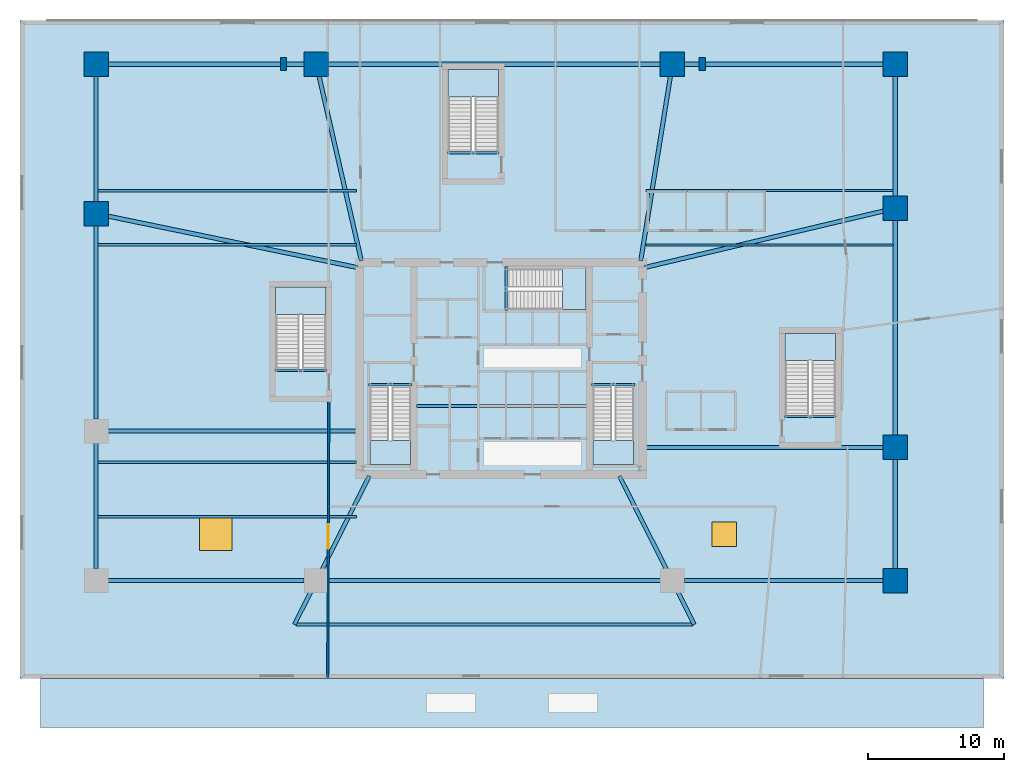
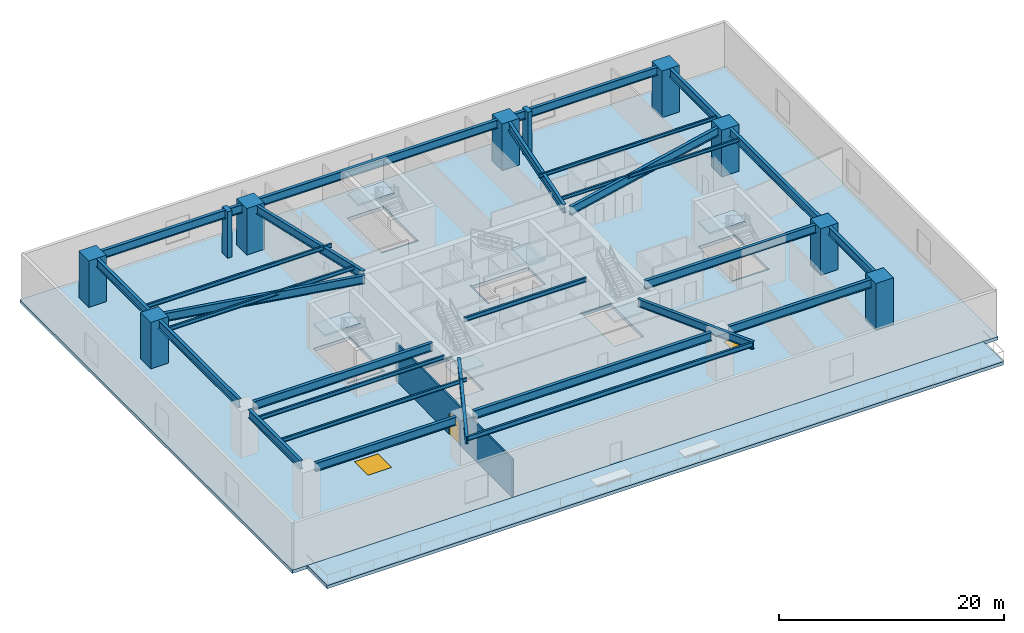
# One storey, part 3 of 11: 34 beams, 10 columns, 8 slabs, 2 windows, 1 door, 1 wall, 3 openings, 6 elements without a shape of their own.
"""IFC4 building model written with IfcOpenShell, lengths in metres."""

from ifc_helpers import new_model, si_unit, direction, frame, frame_2d, origin, origin_2d, place, context, subcontext, project, spatial, polyline, rectangle, i_section, outline, extrude, material, layer, layer_set, material_profile, profile_set, type_object, element, fill, aggregate, save


model = new_model("IFC4")

# Units and contexts
model_context = context("Model", 3, precision=1e-05, world=origin(), true_north=direction((0.0, 1.0)))
body_context = subcontext(model_context, "Body", "Model", "MODEL_VIEW")
ifc_project = project(units=[si_unit("LENGTHUNIT", "METRE"), si_unit("AREAUNIT", "SQUARE_METRE"), si_unit("VOLUMEUNIT", "CUBIC_METRE"), si_unit("PLANEANGLEUNIT", "RADIAN"), si_unit("MASSUNIT", "GRAM", prefix="KILO")], contexts=[model_context])

# Site, building, storey
site_placement = place(None, origin())
site = spatial("IfcSite", under=ifc_project, at=site_placement, CompositionType="ELEMENT")
building_placement = place(site_placement, origin())
building = spatial("IfcBuilding", under=site, at=building_placement, Name="Qarnah Convention Tower", CompositionType="ELEMENT")
storey_placement = place(building_placement, frame((0.0, 0.0, 5.39990234375)))
storey = spatial("IfcBuildingStorey", under=building, at=storey_placement, Name="L01", CompositionType="ELEMENT", Elevation=5.39990234375)

# Columns
ifc_material_1 = material(Name="Concrete C60/75", Category="concrete")
ifc_material_profile_1 = material_profile(ifc_material_1, rectangle(XDim=1.800048828125, YDim=1.800048828125, at=origin_2d()), Name="RC-COL-1800X1800")
ifc_profile_set_1 = profile_set([ifc_material_profile_1], Name="Concrete C60/75")
column_type_1 = type_object("IfcColumnType", Name="COL-MC1800", PredefinedType="COLUMN", material=ifc_profile_set_1)
for number, where, z_axis, x_axis, name in (
    (1, (66.199951171875, 10.800048828125, 0.0), (0.0, 0.0, 1.0), (1.0, 0.0, 0.0), "L01 plumb column MC-04"),
    (2, (66.199951171875, 20.60009765625, 0.0), (0.0, 0.0, 1.0), (1.0, 0.0, 0.0), "L01 plumb column MC-05"),
    (3, (66.199951171875, 38.199951171875, 0.0), (0.0, 0.0, 1.0), (1.0, 0.0, 0.0), "L01 plumb column MC-06"),
    (4, (66.199951171875, 48.800048828125, 0.0), (0.0, 0.0, 1.0), (1.0, 0.0, 0.0), "L01 plumb column MC-07"),
    (5, (49.800048828125, 48.800048828125, 0.0), (0.0, 0.0, 1.0), (1.0, 0.0, 0.0), "L01 plumb column MC-08"),
    (6, (23.60009765625, 48.800048828125, 0.0), (0.0, 0.0, 1.0), (1.0, 0.0, 0.0), "L01 plumb column MC-09"),
    (7, (7.39990234375, 48.800048828125, 0.0), (0.0, 0.0, 1.0), (1.0, 0.0, 0.0), "L01 plumb column MC-10"),
    (8, (7.39990234375, 37.800048828125, 0.0), (0.0, 0.0, 1.0), (1.0, 0.0, 0.0), "L01 plumb column MC-11"),
):
    element("IfcColumn", number, at=place(storey_placement, frame(where, z_axis=z_axis, x_axis=x_axis)), inside=storey, type_object=column_type_1, Name=name, PredefinedType="COLUMN", context=body_context, shape_type="SweptSolid", body=[
        extrude(rectangle(XDim=1.800048828125, YDim=1.800048828125, at=origin_2d()), origin(), (0.0, 0.0, 1.0), 5.050048828125),
    ])
ifc_material_2 = material(Name="Precast concrete C45/55", Category="concrete")
ifc_material_profile_2 = material_profile(ifc_material_2, rectangle(XDim=0.449951171875, YDim=0.949951171875, at=origin_2d()), Name="PC-RIB-450X950")
ifc_profile_set_2 = profile_set([ifc_material_profile_2], Name="Precast concrete C45/55")
column_type_2 = type_object("IfcColumnType", Name="PIL-POD-450", PredefinedType="PILASTER", material=ifc_profile_set_2)
for number, where, z_axis, x_axis, name in (
    (9, (21.199951171875, 48.800048828125, 0.0), (0.0, 0.0, 1.0), (1.0, 0.0, 0.0), "L01 structural concrete pilaster 1"),
    (10, (52.0, 48.800048828125, 0.0), (0.0, 0.0, 1.0), (1.0, 0.0, 0.0), "L01 structural concrete pilaster 2"),
):
    element("IfcColumn", number, at=place(storey_placement, frame(where, z_axis=z_axis, x_axis=x_axis)), inside=storey, type_object=column_type_2, Name=name, PredefinedType="PILASTER", context=body_context, shape_type="SweptSolid", body=[
        extrude(rectangle(XDim=0.449951171875, YDim=0.949951171875, at=origin_2d()), origin(), (0.0, 0.0, 1.0), 5.050048828125),
    ])

# Beams
ifc_material_3 = material(Name="Structural steel S355JR", Category="steel")
ifc_material_profile_3 = material_profile(ifc_material_3, i_section(OverallWidth=0.19189453125, OverallDepth=0.464111328125, WebThickness=0.010986328125, FlangeThickness=0.01806640625, at=origin_2d()), Name="W460X89")
ifc_profile_set_3 = profile_set([ifc_material_profile_3], Name="Structural steel S355JR")
beam_type_1 = type_object("IfcBeamType", Name="BM-CANT-W460A", PredefinedType="BEAM", material=ifc_profile_set_3)
beam_1_placement = place(storey_placement, frame((30.97998046875, 23.64990234375, 4.818115234375), z_axis=(1.0, 0.0, 0.0), x_axis=(0.0, 1.0, 0.0)))
element("IfcBeam", 11, at=beam_1_placement, inside=storey, type_object=beam_type_1, Name="L01 beam BM-L01-KC1", PredefinedType="BEAM", context=body_context, shape_type="SweptSolid", body=[
    extrude(i_section(OverallWidth=0.19189453125, OverallDepth=0.464111328125, WebThickness=0.010986328125, FlangeThickness=0.01806640625, at=origin_2d()), origin(), (0.0, 0.0, 1.0), 12.5400390625),
])
ifc_material_profile_4 = material_profile(ifc_material_3, i_section(OverallWidth=0.166015625, OverallDepth=0.31201171875, WebThickness=0.007080078125, FlangeThickness=0.010986328125, at=origin_2d()), Name="W310X45")
ifc_profile_set_4 = profile_set([ifc_material_profile_4], Name="Structural steel S355JR")
beam_type_2 = type_object("IfcBeamType", Name="BM-JST-W310", PredefinedType="JOIST", material=ifc_profile_set_4)
for number, where, z_axis, x_axis, name in (
    (12, (27.4599609375, 25.217041015625, -0.156005859375), (1.0, 0.0, 0.0), (0.0, 1.0, 0.0), "L01 stair landing trimmer beam BM-L01-ST1-TRM"),
    (13, (43.860107421875, 25.217041015625, -0.156005859375), (1.0, 0.0, 0.0), (0.0, 1.0, 0.0), "L01 stair landing trimmer beam BM-L01-ST2-TRM"),
):
    element("IfcBeam", number, at=place(storey_placement, frame(where, z_axis=z_axis, x_axis=x_axis)), inside=storey, type_object=beam_type_2, Name=name, PredefinedType="BEAM", context=body_context, shape_type="SweptSolid", body=[
        extrude(i_section(OverallWidth=0.166015625, OverallDepth=0.31201171875, WebThickness=0.007080078125, FlangeThickness=0.010986328125, at=origin_2d()), origin(), (0.0, 0.0, 1.0), 3.179931640625),
    ])
beam_2_placement = place(storey_placement, frame((37.5830078125, 30.659912109375, -0.156005859375), z_axis=(0.0, 1.0, 0.0), x_axis=(-1.0, 0.0, 0.0)))
element("IfcBeam", 14, at=beam_2_placement, inside=storey, type_object=beam_type_2, Name="L01 stair landing trimmer beam BM-L01-ST3-TRM", PredefinedType="BEAM", context=body_context, shape_type="SweptSolid", body=[
    extrude(i_section(OverallWidth=0.166015625, OverallDepth=0.31201171875, WebThickness=0.007080078125, FlangeThickness=0.010986328125, at=origin_2d()), origin(), (0.0, 0.0, 1.0), 3.239990234375),
])
for number, where, z_axis, x_axis, name in (
    (15, (58.050048828125, 22.883056640625, -0.156005859375), (1.0, 0.0, 0.0), (0.0, 1.0, 0.0), "L01 podium stair trimmer beam BM-L01-ST4-TRM"),
    (16, (20.550048828125, 26.282958984375, -0.156005859375), (1.0, 0.0, 0.0), (0.0, 1.0, 0.0), "L01 podium stair trimmer beam BM-L01-ST5-TRM"),
    (17, (33.25, 42.282958984375, -0.156005859375), (1.0, 0.0, 0.0), (0.0, 1.0, 0.0), "L01 podium stair trimmer beam BM-L01-ST6-TRM"),
):
    element("IfcBeam", number, at=place(storey_placement, frame(where, z_axis=z_axis, x_axis=x_axis)), inside=storey, type_object=beam_type_2, Name=name, PredefinedType="BEAM", context=body_context, shape_type="SweptSolid", body=[
        extrude(i_section(OverallWidth=0.166015625, OverallDepth=0.31201171875, WebThickness=0.007080078125, FlangeThickness=0.010986328125, at=origin_2d()), origin(), (0.0, 0.0, 1.0), 3.800048828125),
    ])
ifc_material_profile_5 = material_profile(ifc_material_3, i_section(OverallWidth=0.172119140625, OverallDepth=0.35595703125, WebThickness=0.007080078125, FlangeThickness=0.011962890625, at=origin_2d()), Name="W360X51")
ifc_profile_set_5 = profile_set([ifc_material_profile_5], Name="Structural steel S355JR")
beam_type_3 = type_object("IfcBeamType", Name="BM-JST-W360", PredefinedType="JOIST", material=ifc_profile_set_5)
for number, where, z_axis, x_axis, name in (
    (18, (47.85009765625, 35.5, 4.8720703125), (1.0, 0.0, 0.0), (0.0, 1.0, 0.0), "L01 joist BM-L01-JSTE-03"),
    (19, (47.85009765625, 39.5, 4.8720703125), (1.0, 0.0, 0.0), (0.0, 1.0, 0.0), "L01 joist BM-L01-JSTE-04"),
):
    element("IfcBeam", number, at=place(storey_placement, frame(where, z_axis=z_axis, x_axis=x_axis)), inside=storey, type_object=beam_type_3, Name=name, PredefinedType="JOIST", context=body_context, shape_type="SweptSolid", body=[
        extrude(i_section(OverallWidth=0.172119140625, OverallDepth=0.35595703125, WebThickness=0.007080078125, FlangeThickness=0.011962890625, at=origin_2d()), origin(), (0.0, 0.0, 1.0), 18.2099609375),
    ])
ifc_material_profile_6 = material_profile(ifc_material_3, i_section(OverallWidth=0.177978515625, OverallDepth=0.407958984375, WebThickness=0.008056640625, FlangeThickness=0.012939453125, at=origin_2d()), Name="W410X60")
ifc_profile_set_6 = profile_set([ifc_material_profile_6], Name="Structural steel S355JR")
beam_type_4 = type_object("IfcBeamType", Name="BM-JST-W410", PredefinedType="JOIST", material=ifc_profile_set_6)
for number, where, z_axis, x_axis, name in (
    (20, (7.5400390625, 15.5, 4.84619140625), (1.0, 0.0, 0.0), (0.0, 1.0, 0.0), "L01 joist BM-L01-JSTW-01"),
    (21, (7.5400390625, 19.5, 4.84619140625), (1.0, 0.0, 0.0), (0.0, 1.0, 0.0), "L01 joist BM-L01-JSTW-02"),
    (22, (7.5400390625, 35.5, 4.84619140625), (1.0, 0.0, 0.0), (0.0, 1.0, 0.0), "L01 joist BM-L01-JSTW-03"),
    (23, (7.5400390625, 39.5, 4.84619140625), (1.0, 0.0, 0.0), (0.0, 1.0, 0.0), "L01 joist BM-L01-JSTW-04"),
):
    element("IfcBeam", number, at=place(storey_placement, frame(where, z_axis=z_axis, x_axis=x_axis)), inside=storey, type_object=beam_type_4, Name=name, PredefinedType="JOIST", context=body_context, shape_type="SweptSolid", body=[
        extrude(i_section(OverallWidth=0.177978515625, OverallDepth=0.407958984375, WebThickness=0.008056640625, FlangeThickness=0.012939453125, at=origin_2d()), origin(), (0.0, 0.0, 1.0), 19.010009765625),
    ])
ifc_material_profile_7 = material_profile(ifc_material_3, i_section(OverallWidth=0.2900390625, OverallDepth=0.83203125, WebThickness=0.014892578125, FlangeThickness=0.02001953125, at=origin_2d()), Name="W840X193")
ifc_profile_set_7 = profile_set([ifc_material_profile_7], Name="Structural steel S355JR")
beam_type_5 = type_object("IfcBeamType", Name="BM-POD-W840B", PredefinedType="BEAM", material=ifc_profile_set_7)
for number, where, z_axis, x_axis, name in (
    (24, (27.5, 18.5, 4.634033203125), (-0.450484090128, -0.892784455813, 0.0), (0.892784455813, -0.450484090128, 0.0), "L01 beam BM-L01-TSUP-01"),
    (25, (45.89990234375, 18.5, 4.634033203125), (0.450484090128, -0.892784455813, 0.0), (0.892784455813, 0.450484090128, 0.0), "L01 beam BM-L01-TSUP-02"),
):
    element("IfcBeam", number, at=place(storey_placement, frame(where, z_axis=z_axis, x_axis=x_axis)), inside=storey, type_object=beam_type_5, Name=name, PredefinedType="BEAM", context=body_context, shape_type="SweptSolid", body=[
        extrude(i_section(OverallWidth=0.2900390625, OverallDepth=0.83203125, WebThickness=0.014892578125, FlangeThickness=0.02001953125, at=origin_2d()), origin(), (0.0, 0.0, 1.0), 12.231201171875),
    ])
ifc_material_profile_8 = material_profile(ifc_material_3, i_section(OverallWidth=0.31005859375, OverallDepth=0.912109375, WebThickness=0.02099609375, FlangeThickness=0.031982421875, at=origin_2d()), Name="W920X342")
ifc_profile_set_8 = profile_set([ifc_material_profile_8], Name="Structural steel S355JR")
beam_type_6 = type_object("IfcBeamType", Name="BM-POD-W920A", PredefinedType="BEAM", material=ifc_profile_set_8)
beam_3_placement = place(storey_placement, frame((8.2900390625, 10.800048828125, 4.593994140625), z_axis=(1.0, 0.0, 0.0), x_axis=(0.0, 1.0, 0.0)))
element("IfcBeam", 26, at=beam_3_placement, inside=storey, type_object=beam_type_6, Name="L01 spandrel BM-L01-PRG-01", PredefinedType="SPANDREL", context=body_context, shape_type="SweptSolid", body=[
    extrude(i_section(OverallWidth=0.31005859375, OverallDepth=0.912109375, WebThickness=0.02099609375, FlangeThickness=0.031982421875, at=origin_2d()), origin(), (0.0, 0.0, 1.0), 14.419921875),
])
beam_4_placement = place(storey_placement, frame((24.489990234375, 10.800048828125, 4.593994140625), z_axis=(1.0, 0.0, 0.0), x_axis=(0.0, 1.0, 0.0)))
element("IfcBeam", 27, at=beam_4_placement, inside=storey, type_object=beam_type_6, Name="L01 spandrel BM-L01-PRG-02", PredefinedType="SPANDREL", context=body_context, shape_type="SweptSolid", body=[
    extrude(i_section(OverallWidth=0.31005859375, OverallDepth=0.912109375, WebThickness=0.02099609375, FlangeThickness=0.031982421875, at=origin_2d()), origin(), (0.0, 0.0, 1.0), 24.419921875),
])
beam_5_placement = place(storey_placement, frame((50.68994140625, 10.800048828125, 4.593994140625), z_axis=(1.0, 0.0, 0.0), x_axis=(0.0, 1.0, 0.0)))
element("IfcBeam", 28, at=beam_5_placement, inside=storey, type_object=beam_type_6, Name="L01 spandrel BM-L01-PRG-03", PredefinedType="SPANDREL", context=body_context, shape_type="SweptSolid", body=[
    extrude(i_section(OverallWidth=0.31005859375, OverallDepth=0.912109375, WebThickness=0.02099609375, FlangeThickness=0.031982421875, at=origin_2d()), origin(), (0.0, 0.0, 1.0), 14.6201171875),
])
beam_6_placement = place(storey_placement, frame((66.199951171875, 11.68994140625, 4.593994140625), z_axis=(0.0, 1.0, 0.0), x_axis=(-1.0, 0.0, 0.0)))
element("IfcBeam", 29, at=beam_6_placement, inside=storey, type_object=beam_type_6, Name="L01 spandrel BM-L01-PRG-04", PredefinedType="SPANDREL", context=body_context, shape_type="SweptSolid", body=[
    extrude(i_section(OverallWidth=0.31005859375, OverallDepth=0.912109375, WebThickness=0.02099609375, FlangeThickness=0.031982421875, at=origin_2d()), origin(), (0.0, 0.0, 1.0), 8.02001953125),
])
beam_7_placement = place(storey_placement, frame((66.199951171875, 21.489990234375, 4.593994140625), z_axis=(0.0, 1.0, 0.0), x_axis=(-1.0, 0.0, 0.0)))
element("IfcBeam", 30, at=beam_7_placement, inside=storey, type_object=beam_type_6, Name="L01 spandrel BM-L01-PRG-05", PredefinedType="SPANDREL", context=body_context, shape_type="SweptSolid", body=[
    extrude(i_section(OverallWidth=0.31005859375, OverallDepth=0.912109375, WebThickness=0.02099609375, FlangeThickness=0.031982421875, at=origin_2d()), origin(), (0.0, 0.0, 1.0), 15.820068359375),
])
beam_8_placement = place(storey_placement, frame((66.199951171875, 39.090087890625, 4.593994140625), z_axis=(0.0, 1.0, 0.0), x_axis=(-1.0, 0.0, 0.0)))
element("IfcBeam", 31, at=beam_8_placement, inside=storey, type_object=beam_type_6, Name="L01 spandrel BM-L01-PRG-06", PredefinedType="SPANDREL", context=body_context, shape_type="SweptSolid", body=[
    extrude(i_section(OverallWidth=0.31005859375, OverallDepth=0.912109375, WebThickness=0.02099609375, FlangeThickness=0.031982421875, at=origin_2d()), origin(), (0.0, 0.0, 1.0), 8.81982421875),
])
beam_9_placement = place(storey_placement, frame((65.31005859375, 48.800048828125, 4.593994140625), z_axis=(-1.0, 0.0, 0.0), x_axis=(0.0, -1.0, 0.0)))
element("IfcBeam", 32, at=beam_9_placement, inside=storey, type_object=beam_type_6, Name="L01 spandrel BM-L01-PRG-07", PredefinedType="SPANDREL", context=body_context, shape_type="SweptSolid", body=[
    extrude(i_section(OverallWidth=0.31005859375, OverallDepth=0.912109375, WebThickness=0.02099609375, FlangeThickness=0.031982421875, at=origin_2d()), origin(), (0.0, 0.0, 1.0), 14.6201171875),
])
beam_10_placement = place(storey_placement, frame((48.909912109375, 48.800048828125, 4.593994140625), z_axis=(-1.0, 0.0, 0.0), x_axis=(0.0, -1.0, 0.0)))
element("IfcBeam", 33, at=beam_10_placement, inside=storey, type_object=beam_type_6, Name="L01 spandrel BM-L01-PRG-08", PredefinedType="SPANDREL", context=body_context, shape_type="SweptSolid", body=[
    extrude(i_section(OverallWidth=0.31005859375, OverallDepth=0.912109375, WebThickness=0.02099609375, FlangeThickness=0.031982421875, at=origin_2d()), origin(), (0.0, 0.0, 1.0), 24.419921875),
])
beam_11_placement = place(storey_placement, frame((22.7099609375, 48.800048828125, 4.593994140625), z_axis=(-1.0, 0.0, 0.0), x_axis=(0.0, -1.0, 0.0)))
element("IfcBeam", 34, at=beam_11_placement, inside=storey, type_object=beam_type_6, Name="L01 spandrel BM-L01-PRG-09", PredefinedType="SPANDREL", context=body_context, shape_type="SweptSolid", body=[
    extrude(i_section(OverallWidth=0.31005859375, OverallDepth=0.912109375, WebThickness=0.02099609375, FlangeThickness=0.031982421875, at=origin_2d()), origin(), (0.0, 0.0, 1.0), 14.419921875),
])
beam_12_placement = place(storey_placement, frame((7.39990234375, 47.909912109375, 4.593994140625), z_axis=(0.0, -1.0, 0.0), x_axis=(1.0, 0.0, 0.0)))
element("IfcBeam", 35, at=beam_12_placement, inside=storey, type_object=beam_type_6, Name="L01 spandrel BM-L01-PRG-10", PredefinedType="SPANDREL", context=body_context, shape_type="SweptSolid", body=[
    extrude(i_section(OverallWidth=0.31005859375, OverallDepth=0.912109375, WebThickness=0.02099609375, FlangeThickness=0.031982421875, at=origin_2d()), origin(), (0.0, 0.0, 1.0), 9.219970703125),
])
beam_13_placement = place(storey_placement, frame((7.39990234375, 36.909912109375, 4.593994140625), z_axis=(0.0, -1.0, 0.0), x_axis=(1.0, 0.0, 0.0)))
element("IfcBeam", 36, at=beam_13_placement, inside=storey, type_object=beam_type_6, Name="L01 spandrel BM-L01-PRG-11", PredefinedType="SPANDREL", context=body_context, shape_type="SweptSolid", body=[
    extrude(i_section(OverallWidth=0.31005859375, OverallDepth=0.912109375, WebThickness=0.02099609375, FlangeThickness=0.031982421875, at=origin_2d()), origin(), (0.0, 0.0, 1.0), 14.219970703125),
])
beam_14_placement = place(storey_placement, frame((7.39990234375, 20.909912109375, 4.593994140625), z_axis=(0.0, -1.0, 0.0), x_axis=(1.0, 0.0, 0.0)))
element("IfcBeam", 37, at=beam_14_placement, inside=storey, type_object=beam_type_6, Name="L01 spandrel BM-L01-PRG-12", PredefinedType="SPANDREL", context=body_context, shape_type="SweptSolid", body=[
    extrude(i_section(OverallWidth=0.31005859375, OverallDepth=0.912109375, WebThickness=0.02099609375, FlangeThickness=0.031982421875, at=origin_2d()), origin(), (0.0, 0.0, 1.0), 9.219970703125),
])
ifc_material_profile_9 = material_profile(ifc_material_3, i_section(OverallWidth=0.303955078125, OverallDepth=0.89990234375, WebThickness=0.01806640625, FlangeThickness=0.02587890625, at=origin_2d()), Name="W920X271")
ifc_profile_set_9 = profile_set([ifc_material_profile_9], Name="Structural steel S355JR")
beam_type_7 = type_object("IfcBeamType", Name="BM-POD-W920B", PredefinedType="BEAM", material=ifc_profile_set_9)
beam_15_placement = place(storey_placement, frame((65.31005859375, 20.60009765625, 4.60009765625), z_axis=(-1.0, 0.0, 0.0), x_axis=(0.0, -1.0, 0.0)))
element("IfcBeam", 38, at=beam_15_placement, inside=storey, type_object=beam_type_7, Name="L01 beam BM-L01-CSP-05", PredefinedType="BEAM", context=body_context, shape_type="SweptSolid", body=[
    extrude(i_section(OverallWidth=0.303955078125, OverallDepth=0.89990234375, WebThickness=0.01806640625, FlangeThickness=0.02587890625, at=origin_2d()), origin(), (0.0, 0.0, 1.0), 17.56005859375),
])
beam_16_placement = place(storey_placement, frame((65.333984375, 37.9951171875, 4.60009765625), z_axis=(-0.973147212786, -0.230183627233, 0.0), x_axis=(0.230183627233, -0.973147212786, 0.0)))
element("IfcBeam", 39, at=beam_16_placement, inside=storey, type_object=beam_type_7, Name="L01 beam BM-L01-CSP-06", PredefinedType="BEAM", context=body_context, shape_type="SweptSolid", body=[
    extrude(i_section(OverallWidth=0.303955078125, OverallDepth=0.89990234375, WebThickness=0.01806640625, FlangeThickness=0.02587890625, at=origin_2d()), origin(), (0.0, 0.0, 1.0), 18.0732421875),
])
beam_17_placement = place(storey_placement, frame((49.658935546875, 47.9208984375, 4.60009765625), z_axis=(-0.158921997099, -0.987291141882, 0.0), x_axis=(0.987291141882, -0.158921997099, 0.0)))
element("IfcBeam", 40, at=beam_17_placement, inside=storey, type_object=beam_type_7, Name="L01 beam BM-L01-CSP-08", PredefinedType="BEAM", context=body_context, shape_type="SweptSolid", body=[
    extrude(i_section(OverallWidth=0.303955078125, OverallDepth=0.89990234375, WebThickness=0.01806640625, FlangeThickness=0.02587890625, at=origin_2d()), origin(), (0.0, 0.0, 1.0), 13.747802734375),
])
beam_18_placement = place(storey_placement, frame((23.799072265625, 47.93310546875, 4.60009765625), z_axis=(0.223595586515, -0.974682006447, 0.0), x_axis=(0.974682006447, 0.223595586515, 0.0)))
element("IfcBeam", 41, at=beam_18_placement, inside=storey, type_object=beam_type_7, Name="L01 beam BM-L01-CSP-09", PredefinedType="BEAM", context=body_context, shape_type="SweptSolid", body=[
    extrude(i_section(OverallWidth=0.303955078125, OverallDepth=0.89990234375, WebThickness=0.01806640625, FlangeThickness=0.02587890625, at=origin_2d()), origin(), (0.0, 0.0, 1.0), 13.940185546875),
])
beam_19_placement = place(storey_placement, frame((8.27197265625, 37.6201171875, 4.60009765625), z_axis=(0.979397074538, -0.201943978338, 0.0), x_axis=(0.201943978338, 0.979397074538, 0.0)))
element("IfcBeam", 42, at=beam_19_placement, inside=storey, type_object=beam_type_7, Name="L01 beam BM-L01-CSP-11", PredefinedType="BEAM", context=body_context, shape_type="SweptSolid", body=[
    extrude(i_section(OverallWidth=0.303955078125, OverallDepth=0.89990234375, WebThickness=0.01806640625, FlangeThickness=0.02587890625, at=origin_2d()), origin(), (0.0, 0.0, 1.0), 18.767822265625),
])
beam_20_placement = place(storey_placement, frame((8.2900390625, 21.800048828125, 4.60009765625), z_axis=(1.0, 0.0, 0.0), x_axis=(0.0, 1.0, 0.0)))
element("IfcBeam", 43, at=beam_20_placement, inside=storey, type_object=beam_type_7, Name="L01 beam BM-L01-CSP-12", PredefinedType="BEAM", context=body_context, shape_type="SweptSolid", body=[
    extrude(i_section(OverallWidth=0.303955078125, OverallDepth=0.89990234375, WebThickness=0.01806640625, FlangeThickness=0.02587890625, at=origin_2d()), origin(), (0.0, 0.0, 1.0), 18.35986328125),
])
ifc_material_profile_10 = material_profile(ifc_material_3, i_section(OverallWidth=0.199951171875, OverallDepth=0.5, WebThickness=0.010009765625, FlangeThickness=0.01611328125, at=origin_2d()), Name="IPE500")
ifc_profile_set_10 = profile_set([ifc_material_profile_10], Name="Structural steel S355JR")
beam_type_8 = type_object("IfcBeamType", Name="BM-SPN-IPE500", PredefinedType="SPANDREL", material=ifc_profile_set_10)
beam_21_placement = place(storey_placement, frame((22.090087890625, 7.580078125, 4.800048828125), z_axis=(1.0, 0.0, 0.0), x_axis=(0.0, 1.0, 0.0)))
element("IfcBeam", 44, at=beam_21_placement, inside=storey, type_object=beam_type_8, Name="L01 spandrel BM-L01-TTIE-01", PredefinedType="SPANDREL", context=body_context, shape_type="SweptSolid", body=[
    extrude(i_section(OverallWidth=0.199951171875, OverallDepth=0.5, WebThickness=0.010009765625, FlangeThickness=0.01611328125, at=origin_2d()), origin(), (0.0, 0.0, 1.0), 29.219970703125),
])

# Stair, slab
ifc_material_4 = material(Name="Concrete C50/60", Category="concrete")
stair_type_1 = type_object("IfcStairType", Name="STR-POD", PredefinedType="HALF_TURN_STAIR", material=ifc_material_4)
stair_1_placement = place(storey_placement, origin())
stair_1 = element("IfcStair", 45, at=stair_1_placement, inside=storey, type_object=stair_type_1, Name="L01 Core exit stair ST-1", PredefinedType="HALF_TURN_STAIR")
ifc_layer_1 = layer(ifc_material_4, 0.199951171875)
ifc_layer_set_1 = layer_set([ifc_layer_1], Name="Concrete C50/60")
slab_type_1 = type_object("IfcSlabType", Name="SLB-LANDING-200", PredefinedType="LANDING", material=ifc_layer_set_1)
slab_1_placement = place(storey_placement, frame((0.0, 0.0, 2.5)))
slab_1 = element("IfcSlab", 46, at=slab_1_placement, type_object=slab_type_1, Name="ST-1 landing 1", PredefinedType="LANDING", context=body_context, shape_type="SweptSolid", body=[
    extrude(outline(polyline([(27.550048828125, 21.10009765625), (27.550048828125, 19.35009765625), (30.550048828125, 19.35009765625), (30.550048828125, 21.10009765625), (27.550048828125, 21.10009765625)])), origin(), (0.0, 0.0, 1.0), 0.2001953125),
])
aggregate(stair_1, [slab_1])

stair_2_placement = place(storey_placement, origin())
stair_2 = element("IfcStair", 47, at=stair_2_placement, inside=storey, type_object=stair_type_1, Name="L01 Core exit stair ST-2", PredefinedType="HALF_TURN_STAIR")
slab_2_placement = place(storey_placement, frame((0.0, 0.0, 2.5)))
slab_2 = element("IfcSlab", 48, at=slab_2_placement, type_object=slab_type_1, Name="ST-2 landing 1", PredefinedType="LANDING", context=body_context, shape_type="SweptSolid", body=[
    extrude(outline(polyline([(43.949951171875, 21.10009765625), (43.949951171875, 19.35009765625), (46.949951171875, 19.35009765625), (46.949951171875, 21.10009765625), (43.949951171875, 21.10009765625)])), origin(), (0.0, 0.0, 1.0), 0.2001953125),
])
aggregate(stair_2, [slab_2])

stair_3_placement = place(storey_placement, origin())
stair_3 = element("IfcStair", 49, at=stair_3_placement, inside=storey, type_object=stair_type_1, Name="L01 Core exit stair ST-3", PredefinedType="HALF_TURN_STAIR")
slab_3_placement = place(storey_placement, frame((0.0, 0.0, 2.5)))
slab_3 = element("IfcSlab", 50, at=slab_3_placement, type_object=slab_type_1, Name="ST-3 landing 1", PredefinedType="LANDING", context=body_context, shape_type="SweptSolid", body=[
    extrude(outline(polyline([(41.699951171875, 30.75), (43.449951171875, 30.75), (43.449951171875, 33.75), (41.699951171875, 33.75), (41.699951171875, 30.75)])), origin(), (0.0, 0.0, 1.0), 0.2001953125),
])
aggregate(stair_3, [slab_3])

stair_type_2 = type_object("IfcStairType", Name="STR-PODW", PredefinedType="HALF_TURN_STAIR", material=ifc_material_4)
stair_4_placement = place(storey_placement, origin())
stair_4 = element("IfcStair", 51, at=stair_4_placement, inside=storey, type_object=stair_type_2, Name="L01 Podium east convention exit stair ST-4", PredefinedType="HALF_TURN_STAIR")
slab_4_placement = place(storey_placement, frame((0.0, 0.0, 2.5)))
slab_4 = element("IfcSlab", 52, at=slab_4_placement, type_object=slab_type_1, Name="ST-4 landing 1", PredefinedType="LANDING", context=body_context, shape_type="SweptSolid", body=[
    extrude(outline(polyline([(61.800048828125, 27.0), (61.800048828125, 29.0), (58.10009765625, 29.0), (58.10009765625, 27.0), (61.800048828125, 27.0)])), origin(), (0.0, 0.0, 1.0), 0.2001953125),
])
aggregate(stair_4, [slab_4])

stair_5_placement = place(storey_placement, origin())
stair_5 = element("IfcStair", 53, at=stair_5_placement, inside=storey, type_object=stair_type_2, Name="L01 Podium west exhibition exit stair ST-5", PredefinedType="HALF_TURN_STAIR")
slab_5_placement = place(storey_placement, frame((0.0, 0.0, 2.5)))
slab_5 = element("IfcSlab", 54, at=slab_5_placement, type_object=slab_type_1, Name="ST-5 landing 1", PredefinedType="LANDING", context=body_context, shape_type="SweptSolid", body=[
    extrude(outline(polyline([(24.300048828125, 30.39990234375), (24.300048828125, 32.39990234375), (20.60009765625, 32.39990234375), (20.60009765625, 30.39990234375), (24.300048828125, 30.39990234375)])), origin(), (0.0, 0.0, 1.0), 0.2001953125),
])
aggregate(stair_5, [slab_5])

stair_6_placement = place(storey_placement, origin())
stair_6 = element("IfcStair", 55, at=stair_6_placement, inside=storey, type_object=stair_type_2, Name="L01 Podium north ballroom exit stair ST-6", PredefinedType="HALF_TURN_STAIR")
slab_6_placement = place(storey_placement, frame((0.0, 0.0, 2.5)))
slab_6 = element("IfcSlab", 56, at=slab_6_placement, type_object=slab_type_1, Name="ST-6 landing 1", PredefinedType="LANDING", context=body_context, shape_type="SweptSolid", body=[
    extrude(outline(polyline([(37.0, 46.39990234375), (37.0, 48.39990234375), (33.300048828125, 48.39990234375), (33.300048828125, 46.39990234375), (37.0, 46.39990234375)])), origin(), (0.0, 0.0, 1.0), 0.2001953125),
])
aggregate(stair_6, [slab_6])

# Slab, openings, windows
ifc_layer_2 = layer(ifc_material_4, 0.35009765625)
ifc_layer_set_2 = layer_set([ifc_layer_2], Name="Concrete C50/60")
slab_type_2 = type_object("IfcSlabType", Name="SLB-POD-350", PredefinedType="FLOOR", material=ifc_layer_set_2)
slab_7_placement = place(storey_placement, frame((0.0, 0.0, -0.349853515625)))
slab_7 = element("IfcSlab", 57, at=slab_7_placement, inside=storey, type_object=slab_type_2, Name="L01 structural floor slab", PredefinedType="FLOOR", context=body_context, shape_type="SweptSolid", body=[
    extrude(outline(polyline([(1.800048828125, 3.60009765625), (74.199951171875, 3.60009765625), (74.199951171875, 52.0), (1.800048828125, 52.0), (1.800048828125, 3.60009765625)]), holes=[polyline([(27.550048828125, 25.300048828125), (27.550048828125, 19.35009765625), (30.550048828125, 19.35009765625), (30.550048828125, 25.300048828125), (27.550048828125, 25.300048828125)]), polyline([(43.949951171875, 25.300048828125), (43.949951171875, 19.35009765625), (46.949951171875, 19.35009765625), (46.949951171875, 25.300048828125), (43.949951171875, 25.300048828125)]), polyline([(37.5, 30.75), (43.449951171875, 30.75), (43.449951171875, 33.75), (37.5, 33.75), (37.5, 30.75)]), polyline([(61.800048828125, 22.800048828125), (61.800048828125, 29.0), (58.10009765625, 29.0), (58.10009765625, 22.800048828125), (61.800048828125, 22.800048828125)]), polyline([(24.300048828125, 26.199951171875), (24.300048828125, 32.39990234375), (20.60009765625, 32.39990234375), (20.60009765625, 26.199951171875), (24.300048828125, 26.199951171875)]), polyline([(37.0, 42.199951171875), (37.0, 48.39990234375), (33.300048828125, 48.39990234375), (33.300048828125, 42.199951171875), (37.0, 42.199951171875)])]), origin(), (0.0, 0.0, 1.0), 0.349853515625),
])
opening_1_placement = place(slab_7_placement, frame((16.199951171875, 14.199951171875, 0.0)))
opening_1 = element("IfcOpeningElement", 58, at=opening_1_placement, cuts=slab_7, Name="Opening SK1", PredefinedType="OPENING", context=body_context, shape_type="SweptSolid", body=[
    extrude(rectangle(XDim=2.39990234375, YDim=2.39990234375, at=origin_2d()), origin(), (0.0, 0.0, 1.0), 0.349853515625),
])
opening_2_placement = place(slab_7_placement, frame((53.60009765625, 14.199951171875, 0.0)))
opening_2 = element("IfcOpeningElement", 59, at=opening_2_placement, cuts=slab_7, Name="Opening SK2", PredefinedType="OPENING", context=body_context, shape_type="SweptSolid", body=[
    extrude(rectangle(XDim=1.800048828125, YDim=1.800048828125, at=origin_2d()), origin(), (0.0, 0.0, 1.0), 0.349853515625),
])
ifc_material_5 = material(Name="Tempered Low-E dark glass", Category="glass")
window_type_1 = type_object("IfcWindowType", Name="WT-SKY-1800X1800", PartitioningType="SINGLE_PANEL", PredefinedType="SKYLIGHT", material=ifc_material_5)
window_1_placement = place(opening_2_placement, frame((0.0, 0.0, 0.2998046875)))
window_1 = element("IfcWindow", 60, at=window_1_placement, inside=storey, type_object=window_type_1, Name="L01 podium foyer skylight 2", OverallHeight=1.800048828125, OverallWidth=1.800048828125, PartitioningType="SINGLE_PANEL", PredefinedType="SKYLIGHT", context=body_context, shape_type="SweptSolid", body=[
    extrude(rectangle(XDim=1.800048828125, YDim=1.800048828125, at=origin_2d()), origin(), (0.0, 0.0, 1.0), 0.050048828125),
])
fill(opening_2, window_1)
window_type_2 = type_object("IfcWindowType", Name="WT-SKY-2400X2400", PartitioningType="SINGLE_PANEL", PredefinedType="SKYLIGHT", material=ifc_material_5)
window_2_placement = place(opening_1_placement, frame((0.0, 0.0, 0.2998046875)))
window_2 = element("IfcWindow", 61, at=window_2_placement, inside=storey, type_object=window_type_2, Name="L01 podium foyer skylight 1", OverallHeight=2.39990234375, OverallWidth=2.39990234375, PartitioningType="SINGLE_PANEL", PredefinedType="SKYLIGHT", context=body_context, shape_type="SweptSolid", body=[
    extrude(rectangle(XDim=2.39990234375, YDim=2.39990234375, at=origin_2d()), origin(), (0.0, 0.0, 1.0), 0.050048828125),
])
fill(opening_1, window_2)

# Slab
slab_8_placement = place(storey_placement, frame((0.0, 0.0, -0.349853515625)))
element("IfcSlab", 62, at=slab_8_placement, inside=storey, type_object=slab_type_2, Name="L01 cantilevered balcony slab TERR-L01-S", ObjectType="BALCONY", PredefinedType="USERDEFINED", context=body_context, shape_type="SweptSolid", body=[
    extrude(outline(polyline([(72.699951171875, 0.0), (3.300048828125, 0.0), (3.300048828125, 3.60400390625), (72.699951171875, 3.60400390625), (72.699951171875, 0.0)])), origin(), (0.0, 0.0, 1.0), 0.349853515625),
])

# Wall, opening, door
ifc_material_6 = material(Name="Gypsum partition board")
ifc_layer_3 = layer(ifc_material_6, 0.159912109375)
ifc_layer_set_3 = layer_set([ifc_layer_3], Name="Gypsum partition board")
wall_type = type_object("IfcWallType", Name="WL-CORR-160", PredefinedType="PARTITIONING", material=ifc_layer_set_3)
wall_placement = place(storey_placement, frame((24.43896484375, 3.669921875, 0.0), z_axis=(0.0, 0.0, 1.0), x_axis=(0.004145530271, 0.999991407252, 0.0)))
wall = element("IfcWall", 63, at=wall_placement, inside=storey, type_object=wall_type, Name="L01 interior wall IW-L01-R-11", PredefinedType="PARTITIONING", context=body_context, shape_type="SweptSolid", body=[
    extrude(rectangle(XDim=20.730224609375, YDim=0.159912109375, at=frame_2d((10.365234375, 0.0))), origin(), (0.0, 0.0, 1.0), 4.123046875),
])
opening_3_placement = place(wall_placement, frame((9.465087890625, 0.0, 0.0)))
opening_3 = element("IfcOpeningElement", 64, at=opening_3_placement, cuts=wall, Name="Opening D-0122", PredefinedType="OPENING", context=body_context, shape_type="SweptSolid", body=[
    extrude(rectangle(XDim=1.800048828125, YDim=2.25, at=frame_2d((0.89990234375, 1.125))), frame((0.0, 0.08984375, 0.0), z_axis=(0.0, -1.0, 0.0), x_axis=(1.0, 0.0, 0.0)), (0.0, 0.0, 1.0), 0.179931640625),
])
ifc_material_7 = material(Name="Black anodised aluminium", Category="aluminium")
door_type = type_object("IfcDoorType", Name="DT-HALL-DBL-1800", OperationType="DOUBLE_DOOR_SINGLE_SWING", PredefinedType="DOOR", material=ifc_material_7)
door_placement = place(opening_3_placement, origin())
door = element("IfcDoor", 65, at=door_placement, inside=storey, type_object=door_type, Name="Door D-0122", OperationType="DOUBLE_DOOR_SINGLE_SWING", OverallHeight=2.25, OverallWidth=1.800048828125, PredefinedType="DOOR", context=body_context, shape_type="SweptSolid", body=[
    extrude(rectangle(XDim=1.800048828125, YDim=2.25, at=frame_2d((0.89990234375, 1.125))), frame((0.0, 0.02490234375, 0.0), z_axis=(0.0, -1.0, 0.0), x_axis=(1.0, 0.0, 0.0)), (0.0, 0.0, 1.0), 0.050048828125),
])
fill(opening_3, door)

save(model, "model.ifc")
